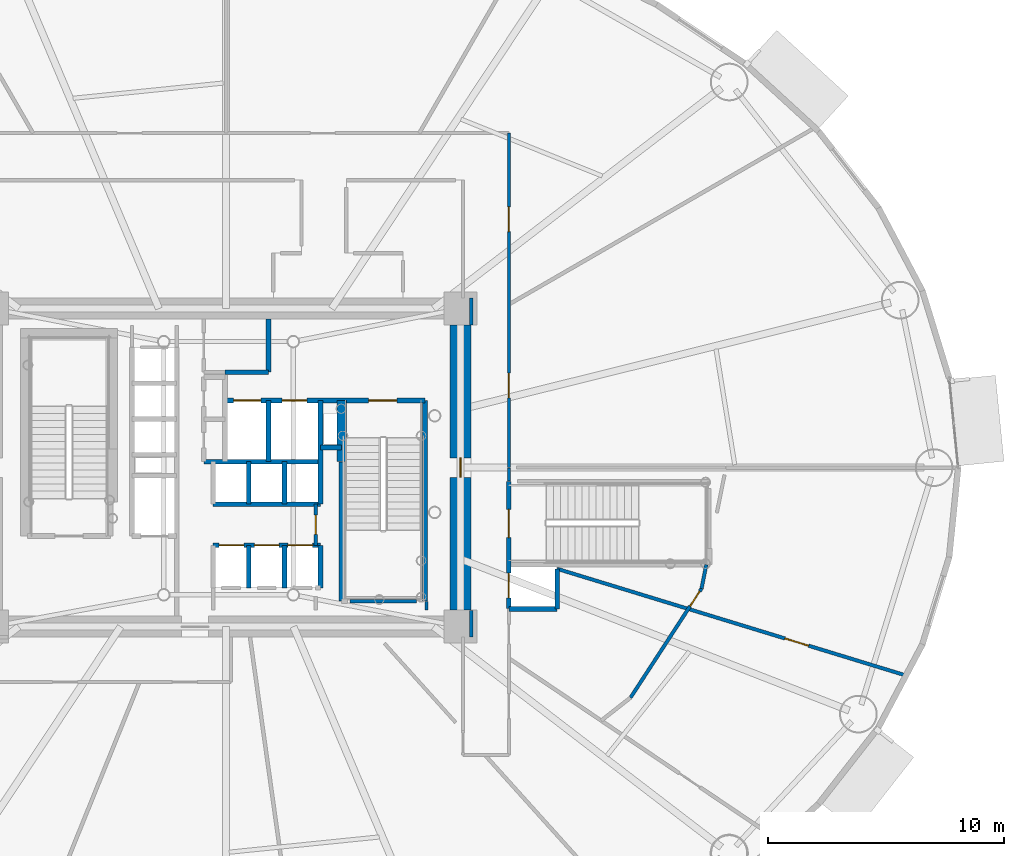
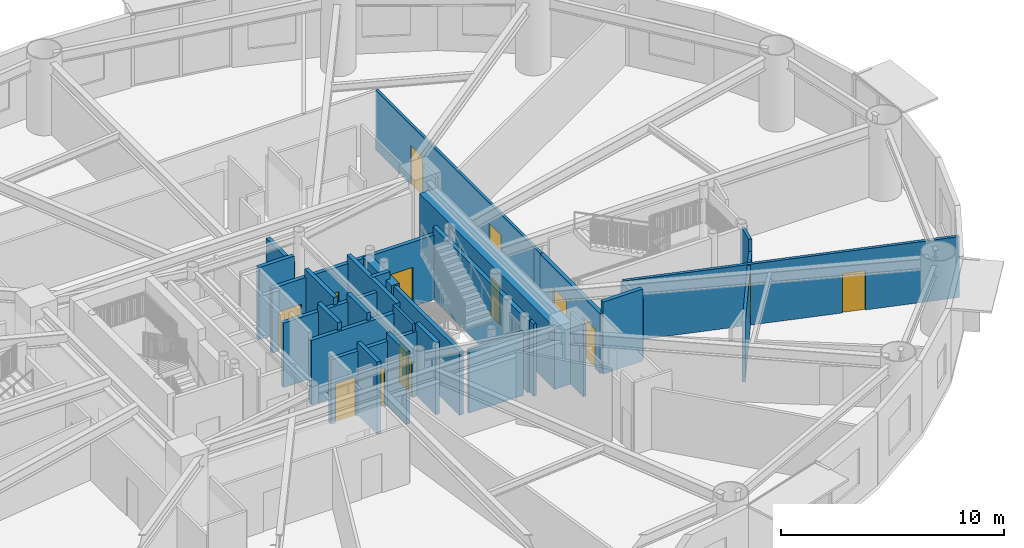
# One storey, part 18 of 32: 31 walls, 14 doors, 14 openings.
"""IFC4 building model written with IfcOpenShell, lengths in metres."""

from ifc_helpers import new_model, si_unit, direction, frame, frame_2d, origin, origin_2d, place, context, subcontext, project, spatial, rectangle, extrude, source, transform, mapped, material, layer, layer_set, type_object, element, fill, save


model = new_model("IFC4")

# Units and contexts
model_context = context("Model", 3, precision=1e-05, world=origin(), true_north=direction((0.0, 1.0)))
body_context = subcontext(model_context, "Body", "Model", "MODEL_VIEW")
ifc_project = project(units=[si_unit("LENGTHUNIT", "METRE"), si_unit("AREAUNIT", "SQUARE_METRE"), si_unit("VOLUMEUNIT", "CUBIC_METRE"), si_unit("PLANEANGLEUNIT", "RADIAN"), si_unit("MASSUNIT", "GRAM", prefix="KILO")], contexts=[model_context])

# Site, building, storey
site_placement = place(None, origin())
site = spatial("IfcSite", under=ifc_project, at=site_placement, CompositionType="ELEMENT")
building_placement = place(site_placement, origin())
building = spatial("IfcBuilding", under=site, at=building_placement, Name="Linh Dai School and Residence Tower", CompositionType="ELEMENT")
storey_placement = place(building_placement, frame((0.0, 0.0, 40.800048828125)))
storey = spatial("IfcBuildingStorey", under=building, at=storey_placement, Name="L09", CompositionType="ELEMENT", Elevation=40.800048828125)

# Wall, opening, door
ifc_material_1 = material(Name="Autoclaved Aerated Concrete Blockwork", Category="masonry")
ifc_layer_1 = layer(ifc_material_1, 0.135009765625)
ifc_layer_set_1 = layer_set([ifc_layer_1], Name="Autoclaved Aerated Concrete Blockwork")
wall_type_1 = type_object("IfcWallType", Name="IW-CORR-135-EI90", PredefinedType="PARTITIONING", material=ifc_layer_set_1)
wall_1_placement = place(storey_placement, frame((39.800048828125, 23.699951171875, 0.0), z_axis=(0.0, 0.0, 1.0), x_axis=(0.0, 1.0, 0.0)))
wall_1 = element("IfcWall", 1, at=wall_1_placement, inside=storey, type_object=wall_type_1, Name="L09 Interior Partition Wall 050", PredefinedType="PARTITIONING", context=body_context, shape_type="SweptSolid", body=[
    extrude(rectangle(XDim=1.75, YDim=0.135009765625, at=frame_2d((0.875, 0.0))), origin(), (0.0, 0.0, 1.0), 3.949951171875),
])
opening_1_placement = place(wall_1_placement, frame((0.465087890625, 0.0, 0.0)))
opening_1 = element("IfcOpeningElement", 2, at=opening_1_placement, cuts=wall_1, Name="Opening D06", PredefinedType="OPENING", context=body_context, shape_type="SweptSolid", body=[
    extrude(rectangle(XDim=0.820068359375, YDim=2.10009765625, at=origin_2d()), frame((0.41015625, 0.07763671875, 1.050048828125), z_axis=(0.0, -1.0, 0.0), x_axis=(1.0, 0.0, 0.0)), (0.0, 0.0, 1.0), 0.155029296875),
])
ifc_material_2 = material(Name="Moisture-Resistant Timber Bathroom Door", Category="wood")
door_type_1 = type_object("IfcDoorType", Name="DR-WET-820x2100", OperationType="NOTDEFINED", PredefinedType="DOOR", material=ifc_material_2)
shared_shape_1 = source(origin(), body_context, "Body", "SweptSolid", [
    extrude(rectangle(XDim=0.820068359375, YDim=2.10009765625, at=origin_2d()), frame((0.41015625, 0.02490234375, 1.050048828125), z_axis=(0.0, -1.0, 0.0), x_axis=(1.0, 0.0, 0.0)), (0.0, 0.0, 1.0), 0.050048828125),
])
door_1_placement = place(opening_1_placement, origin())
door_1 = element("IfcDoor", 3, at=door_1_placement, inside=storey, type_object=door_type_1, Name="L09 East Linen Store Door", OperationType="SINGLE_SWING_RIGHT", OverallHeight=2.10009765625, OverallWidth=0.820068359375, PredefinedType="DOOR", context=body_context, shape_type="MappedRepresentation", body=[
    mapped(shared_shape_1, transform((0.0, 0.0, 0.0), x_axis=(1.0, 0.0, 0.0), y_axis=(0.0, 1.0, 0.0), z_axis=(0.0, 0.0, 1.0), scale=1.0)),
])
fill(opening_1, door_1)

# Wall, openings, doors
wall_2_placement = place(storey_placement, frame((48.0, 27.0, 0.0), z_axis=(0.0, 0.0, 1.0), x_axis=(0.0, 1.0, 0.0)))
wall_2 = element("IfcWall", 4, at=wall_2_placement, inside=storey, type_object=wall_type_1, Name="L09 Interior Partition Wall 066", PredefinedType="PARTITIONING", context=body_context, shape_type="SweptSolid", body=[
    extrude(rectangle(XDim=14.199951171875, YDim=0.135009765625, at=frame_2d((7.10009765625, 0.0))), origin(), (0.0, 0.0, 1.0), 3.284912109375),
])
opening_2_placement = place(wall_2_placement, frame((2.958984375, 0.0, 0.0)))
opening_2 = element("IfcOpeningElement", 5, at=opening_2_placement, cuts=wall_2, Name="Opening D04", PredefinedType="OPENING", context=body_context, shape_type="SweptSolid", body=[
    extrude(rectangle(XDim=1.050048828125, YDim=2.14990234375, at=origin_2d()), frame((0.52490234375, 0.07763671875, 1.074951171875), z_axis=(0.0, -1.0, 0.0), x_axis=(1.0, 0.0, 0.0)), (0.0, 0.0, 1.0), 0.155029296875),
])
opening_3_placement = place(wall_2_placement, frame((10.01904296875, 0.0, 0.0)))
opening_3 = element("IfcOpeningElement", 6, at=opening_3_placement, cuts=wall_2, Name="Opening D04", PredefinedType="OPENING", context=body_context, shape_type="SweptSolid", body=[
    extrude(rectangle(XDim=1.050048828125, YDim=2.14990234375, at=origin_2d()), frame((0.52490234375, 0.07763671875, 1.074951171875), z_axis=(0.0, -1.0, 0.0), x_axis=(1.0, 0.0, 0.0)), (0.0, 0.0, 1.0), 0.155029296875),
])
ifc_material_3 = material(Name="Acoustic Vision-Panel Timber Classroom Door", Category="wood")
door_type_2 = type_object("IfcDoorType", Name="DR-SCH-1050x2150-FD60S", OperationType="NOTDEFINED", PredefinedType="DOOR", material=ifc_material_3)
shared_shape_2 = source(origin(), body_context, "Body", "SweptSolid", [
    extrude(rectangle(XDim=1.050048828125, YDim=2.14990234375, at=origin_2d()), frame((0.52490234375, 0.02490234375, 1.074951171875), z_axis=(0.0, -1.0, 0.0), x_axis=(1.0, 0.0, 0.0)), (0.0, 0.0, 1.0), 0.050048828125),
])
door_2_placement = place(opening_2_placement, origin())
door_2 = element("IfcDoor", 7, at=door_2_placement, inside=storey, type_object=door_type_2, Name="L09 Secondary Classroom 1 Door", OperationType="SINGLE_SWING_LEFT", OverallHeight=2.14990234375, OverallWidth=1.050048828125, PredefinedType="DOOR", context=body_context, shape_type="MappedRepresentation", body=[
    mapped(shared_shape_2, transform((0.0, 0.0, 0.0), x_axis=(1.0, 0.0, 0.0), y_axis=(0.0, 1.0, 0.0), z_axis=(0.0, 0.0, 1.0), scale=1.0)),
])
fill(opening_2, door_2)
door_3_placement = place(opening_3_placement, origin())
door_3 = element("IfcDoor", 8, at=door_3_placement, inside=storey, type_object=door_type_2, Name="L09 Secondary Classroom 2 Door", OperationType="SINGLE_SWING_RIGHT", OverallHeight=2.14990234375, OverallWidth=1.050048828125, PredefinedType="DOOR", context=body_context, shape_type="MappedRepresentation", body=[
    mapped(shared_shape_2, transform((0.0, 0.0, 0.0), x_axis=(1.0, 0.0, 0.0), y_axis=(0.0, 1.0, 0.0), z_axis=(0.0, 0.0, 1.0), scale=1.0)),
])
fill(opening_3, door_3)

# Walls
wall_3_placement = place(storey_placement, frame((44.080078125, 21.330078125, 0.0), z_axis=(0.0, 0.0, 1.0), x_axis=(-1.0, 0.0, 0.0)))
element("IfcWall", 9, at=wall_3_placement, inside=storey, type_object=wall_type_1, Name="L09 Interior Partition Wall 075", PredefinedType="PARTITIONING", context=body_context, shape_type="SweptSolid", body=[
    extrude(rectangle(XDim=2.820068359375, YDim=0.135009765625, at=frame_2d((1.41015625, 0.0))), origin(), (0.0, 0.0, 1.0), 3.48486328125),
])
wall_4_placement = place(storey_placement, frame((44.5, 20.9599609375, 0.0), z_axis=(0.0, 0.0, 1.0), x_axis=(0.0, 1.0, 0.0)))
element("IfcWall", 10, at=wall_4_placement, inside=storey, type_object=wall_type_1, Name="L09 Interior Partition Wall 082", PredefinedType="PARTITIONING", context=body_context, shape_type="SweptSolid", body=[
    extrude(rectangle(XDim=0.360107421875, YDim=0.135009765625, at=frame_2d((0.18017578125, 0.0))), origin(), (0.0, 0.0, 1.0), 3.949951171875),
])
wall_5_placement = place(storey_placement, frame((48.0, 26.989990234375, 0.0), z_axis=(0.0, 0.0, 1.0), x_axis=(0.0, -1.0, 0.0)))
element("IfcWall", 11, at=wall_5_placement, inside=storey, type_object=wall_type_1, Name="L09 Interior Partition Wall 087", PredefinedType="PARTITIONING", context=body_context, shape_type="SweptSolid", body=[
    extrude(rectangle(XDim=0.56005859375, YDim=0.135009765625, at=frame_2d((0.280029296875, 0.0))), origin(), (0.0, 0.0, 1.0), 3.284912109375),
])
for number, where, z_axis, x_axis, name in (
    (12, (46.39990234375, 19.800048828125, 0.0), (0.0, 0.0, 1.0), (0.0, 1.0, 0.0), "L09 Interior Partition Wall 089"),
    (13, (46.39990234375, 33.06005859375, 0.0), (0.0, 0.0, 1.0), (0.0, 1.0, 0.0), "L09 Interior Partition Wall 090"),
):
    element("IfcWall", number, at=place(storey_placement, frame(where, z_axis=z_axis, x_axis=x_axis)), inside=storey, type_object=wall_type_1, Name=name, PredefinedType="PARTITIONING", context=body_context, shape_type="SweptSolid", body=[
        extrude(rectangle(XDim=1.139892578125, YDim=0.135009765625, at=frame_2d((0.56982421875, 0.0))), origin(), (0.0, 0.0, 1.0), 3.949951171875),
    ])

# Wall, opening, door
ifc_layer_2 = layer(ifc_material_1, 0.14990234375)
ifc_layer_set_2 = layer_set([ifc_layer_2], Name="Autoclaved Aerated Concrete Blockwork")
wall_type_2 = type_object("IfcWallType", Name="IW-SCH-150-EI60", PredefinedType="PARTITIONING", material=ifc_layer_set_2)
wall_6_placement = place(storey_placement, frame((50.050048828125, 22.70458984375, 0.0), z_axis=(0.0, 0.0, 1.0), x_axis=(0.9563012706, -0.292383104588, 0.0)))
wall_6 = element("IfcWall", 14, at=wall_6_placement, inside=storey, type_object=wall_type_2, Name="L09 Interior Partition Wall 069", PredefinedType="PARTITIONING", context=body_context, shape_type="SweptSolid", body=[
    extrude(rectangle(XDim=15.490234375, YDim=0.14990234375, at=frame_2d((7.7451171875, 0.0))), origin(), (0.0, 0.0, 1.0), 3.3349609375),
])
opening_4_placement = place(wall_6_placement, frame((10.110107421875, 0.0, 0.0)))
opening_4 = element("IfcOpeningElement", 15, at=opening_4_placement, cuts=wall_6, Name="Opening D04", PredefinedType="OPENING", context=body_context, shape_type="SweptSolid", body=[
    extrude(rectangle(XDim=1.050048828125, YDim=2.14990234375, at=origin_2d()), frame((0.52490234375, 0.0849609375, 1.074951171875), z_axis=(0.0, -1.0, 0.0), x_axis=(1.0, 0.0, 0.0)), (0.0, 0.0, 1.0), 0.169921875),
])
door_4_placement = place(opening_4_placement, origin())
door_4 = element("IfcDoor", 16, at=door_4_placement, inside=storey, type_object=door_type_2, Name="L09 Resource Study Room GWC Door", OperationType="SINGLE_SWING_RIGHT", OverallHeight=2.14990234375, OverallWidth=1.050048828125, PredefinedType="DOOR", context=body_context, shape_type="MappedRepresentation", body=[
    mapped(shared_shape_2, transform((0.0, 0.0, 0.0), x_axis=(1.0, 0.0, 0.0), y_axis=(0.0, 1.0, 0.0), z_axis=(0.0, 0.0, 1.0), scale=1.0)),
])
fill(opening_4, door_4)

wall_7_placement = place(storey_placement, frame((53.1640625, 17.235595703125, 0.0), z_axis=(0.0, 0.0, 1.0), x_axis=(0.545448002944, 0.838144662981, 0.0)))
wall_7 = element("IfcWall", 17, at=wall_7_placement, inside=storey, type_object=wall_type_2, Name="L09 Interior Partition Wall 071", PredefinedType="PARTITIONING", context=body_context, shape_type="SweptSolid", body=[
    extrude(rectangle(XDim=5.525146484375, YDim=0.14990234375, at=frame_2d((2.7626953125, 0.0))), origin(), (0.0, 0.0, 1.0), 3.284912109375),
])
opening_5_placement = place(wall_7_placement, frame((4.631103515625, 0.0, 0.0)))
opening_5 = element("IfcOpeningElement", 18, at=opening_5_placement, cuts=wall_7, Name="Opening D08", PredefinedType="OPENING", context=body_context, shape_type="SweptSolid", body=[
    extrude(rectangle(XDim=0.760009765625, YDim=2.10009765625, at=origin_2d()), frame((0.3798828125, 0.0849609375, 1.050048828125), z_axis=(0.0, -1.0, 0.0), x_axis=(1.0, 0.0, 0.0)), (0.0, 0.0, 1.0), 0.169921875),
])
ifc_material_4 = material(Name="Engineered Timber Closet and Study Door", Category="wood")
door_type_3 = type_object("IfcDoorType", Name="DR-CMP-760x2100", OperationType="NOTDEFINED", PredefinedType="DOOR", material=ifc_material_4)
shared_shape_3 = source(origin(), body_context, "Body", "SweptSolid", [
    extrude(rectangle(XDim=0.760009765625, YDim=2.10009765625, at=origin_2d()), frame((0.3798828125, 0.02490234375, 1.050048828125), z_axis=(0.0, -1.0, 0.0), x_axis=(1.0, 0.0, 0.0)), (0.0, 0.0, 1.0), 0.050048828125),
])
door_5_placement = place(opening_5_placement, origin())
door_5 = element("IfcDoor", 19, at=door_5_placement, inside=storey, type_object=door_type_3, Name="L09 Floor Girls WC Door", OperationType="SINGLE_SWING_LEFT", OverallHeight=2.10009765625, OverallWidth=0.760009765625, PredefinedType="DOOR", context=body_context, shape_type="MappedRepresentation", body=[
    mapped(shared_shape_3, transform((0.0, 0.0, 0.0), x_axis=(1.0, 0.0, 0.0), y_axis=(0.0, 1.0, 0.0), z_axis=(0.0, 0.0, 1.0), scale=1.0)),
])
fill(opening_5, door_5)

# Walls
wall_8_placement = place(storey_placement, frame((56.177734375, 21.866455078125, 0.0), z_axis=(0.0, 0.0, 1.0), x_axis=(0.198113758035, 0.980179034094, 0.0)))
element("IfcWall", 20, at=wall_8_placement, inside=storey, type_object=wall_type_2, Name="L09 Interior Partition Wall 072", PredefinedType="PARTITIONING", context=body_context, shape_type="SweptSolid", body=[
    extrude(rectangle(XDim=1.033935546875, YDim=0.14990234375, at=frame_2d((0.51708984375, 0.0))), origin(), (0.0, 0.0, 1.0), 3.949951171875),
])
ifc_material_5 = material(Name="Concrete B45 (C35/45)", Category="concrete")
ifc_layer_3 = layer(ifc_material_5, 0.199951171875)
ifc_layer_set_3 = layer_set([ifc_layer_3], Name="Concrete B45 (C35/45)")
wall_type_3 = type_object("IfcWallType", Name="IW-SHAFT-200-EI120", PredefinedType="PARTITIONING", material=ifc_layer_set_3)
wall_9_placement = place(storey_placement, frame((35.050048828125, 27.25, 0.0), z_axis=(0.0, 0.0, 1.0), x_axis=(1.0, 0.0, 0.0)))
element("IfcWall", 21, at=wall_9_placement, inside=storey, type_object=wall_type_3, Name="L09 Interior Partition Wall 028", PredefinedType="PARTITIONING", context=body_context, shape_type="SweptSolid", body=[
    extrude(rectangle(XDim=4.949951171875, YDim=0.199951171875, at=frame_2d((2.47509765625, 0.0))), origin(), (0.0, 0.0, 1.0), 3.534912109375),
])

# Wall, openings, doors
wall_10_placement = place(storey_placement, frame((35.449951171875, 23.699951171875, 0.0), z_axis=(0.0, 0.0, 1.0), x_axis=(1.0, 0.0, 0.0)))
wall_10 = element("IfcWall", 22, at=wall_10_placement, inside=storey, type_object=wall_type_3, Name="L09 Interior Partition Wall 034", PredefinedType="PARTITIONING", context=body_context, shape_type="SweptSolid", body=[
    extrude(rectangle(XDim=4.550048828125, YDim=0.199951171875, at=frame_2d((2.27490234375, 0.0))), origin(), (0.0, 0.0, 1.0), 3.534912109375),
])
opening_6_placement = place(wall_10_placement, frame((0.25, 0.0, 0.0)))
opening_6 = element("IfcOpeningElement", 23, at=opening_6_placement, cuts=wall_10, Name="Opening LD-PL1", PredefinedType="OPENING", context=body_context, shape_type="SweptSolid", body=[
    extrude(rectangle(XDim=1.050048828125, YDim=2.14990234375, at=origin_2d()), frame((0.52490234375, 0.10986328125, 1.074951171875), z_axis=(0.0, -1.0, 0.0), x_axis=(1.0, 0.0, 0.0)), (0.0, 0.0, 1.0), 0.219970703125),
])
opening_7_placement = place(wall_10_placement, frame((1.7451171875, 0.0, 0.0)))
opening_7 = element("IfcOpeningElement", 24, at=opening_7_placement, cuts=wall_10, Name="Opening LD-PL2", PredefinedType="OPENING", context=body_context, shape_type="SweptSolid", body=[
    extrude(rectangle(XDim=1.050048828125, YDim=2.14990234375, at=origin_2d()), frame((0.52490234375, 0.10986328125, 1.074951171875), z_axis=(0.0, -1.0, 0.0), x_axis=(1.0, 0.0, 0.0)), (0.0, 0.0, 1.0), 0.219970703125),
])
opening_8_placement = place(wall_10_placement, frame((3.1650390625, 0.0, 0.0)))
opening_8 = element("IfcOpeningElement", 25, at=opening_8_placement, cuts=wall_10, Name="Opening LD-PL3", PredefinedType="OPENING", context=body_context, shape_type="SweptSolid", body=[
    extrude(rectangle(XDim=1.050048828125, YDim=2.14990234375, at=origin_2d()), frame((0.52490234375, 0.10986328125, 1.074951171875), z_axis=(0.0, -1.0, 0.0), x_axis=(1.0, 0.0, 0.0)), (0.0, 0.0, 1.0), 0.219970703125),
])
ifc_material_6 = material(Name="Brushed Stainless Steel Lift Landing Door", Category="steel")
door_type_4 = type_object("IfcDoorType", Name="DR-LD-PASS-1050x2150", OperationType="DOUBLE_DOOR_SLIDING", PredefinedType="USERDEFINED", material=ifc_material_6)
shared_shape_4 = source(origin(), body_context, "Body", "SweptSolid", [
    extrude(rectangle(XDim=1.050048828125, YDim=2.14990234375, at=origin_2d()), frame((0.52490234375, 0.02490234375, 1.074951171875), z_axis=(0.0, -1.0, 0.0), x_axis=(1.0, 0.0, 0.0)), (0.0, 0.0, 1.0), 0.050048828125),
])
door_6_placement = place(opening_6_placement, origin())
door_6 = element("IfcDoor", 26, at=door_6_placement, inside=storey, type_object=door_type_4, Name="L09 Lift PL1 Sliding Landing Door", ObjectType="LANDING DOOR", OperationType="DOUBLE_DOOR_SLIDING", OverallHeight=2.14990234375, OverallWidth=1.050048828125, PredefinedType="USERDEFINED", context=body_context, shape_type="MappedRepresentation", body=[
    mapped(shared_shape_4, transform((0.0, 0.0, 0.0), x_axis=(1.0, 0.0, 0.0), y_axis=(0.0, 1.0, 0.0), z_axis=(0.0, 0.0, 1.0), scale=1.0)),
])
fill(opening_6, door_6)
door_7_placement = place(opening_7_placement, origin())
door_7 = element("IfcDoor", 27, at=door_7_placement, inside=storey, type_object=door_type_4, Name="L09 Lift PL2 Sliding Landing Door", ObjectType="LANDING DOOR", OperationType="DOUBLE_DOOR_SLIDING", OverallHeight=2.14990234375, OverallWidth=1.050048828125, PredefinedType="USERDEFINED", context=body_context, shape_type="MappedRepresentation", body=[
    mapped(shared_shape_4, transform((0.0, 0.0, 0.0), x_axis=(1.0, 0.0, 0.0), y_axis=(0.0, 1.0, 0.0), z_axis=(0.0, 0.0, 1.0), scale=1.0)),
])
fill(opening_7, door_7)
door_8_placement = place(opening_8_placement, origin())
door_8 = element("IfcDoor", 28, at=door_8_placement, inside=storey, type_object=door_type_4, Name="L09 Lift PL3 Sliding Landing Door", ObjectType="LANDING DOOR", OperationType="DOUBLE_DOOR_SLIDING", OverallHeight=2.14990234375, OverallWidth=1.050048828125, PredefinedType="USERDEFINED", context=body_context, shape_type="MappedRepresentation", body=[
    mapped(shared_shape_4, transform((0.0, 0.0, 0.0), x_axis=(1.0, 0.0, 0.0), y_axis=(0.0, 1.0, 0.0), z_axis=(0.0, 0.0, 1.0), scale=1.0)),
])
fill(opening_8, door_8)

# Wall
wall_11_placement = place(storey_placement, frame((35.449951171875, 25.449951171875, 0.0), z_axis=(0.0, 0.0, 1.0), x_axis=(1.0, 0.0, 0.0)))
element("IfcWall", 29, at=wall_11_placement, inside=storey, type_object=wall_type_3, Name="L09 Interior Partition Wall 036", PredefinedType="PARTITIONING", context=body_context, shape_type="SweptSolid", body=[
    extrude(rectangle(XDim=4.550048828125, YDim=0.199951171875, at=frame_2d((2.27490234375, 0.0))), origin(), (0.0, 0.0, 1.0), 3.534912109375),
])

# Wall, openings, doors
wall_12_placement = place(storey_placement, frame((35.949951171875, 29.85009765625, 0.0), z_axis=(0.0, 0.0, 1.0), x_axis=(1.0, 0.0, 0.0)))
wall_12 = element("IfcWall", 30, at=wall_12_placement, inside=storey, type_object=wall_type_3, Name="L09 Interior Partition Wall 038", PredefinedType="PARTITIONING", context=body_context, shape_type="SweptSolid", body=[
    extrude(rectangle(XDim=8.489990234375, YDim=0.199951171875, at=frame_2d((4.2451171875, 0.0))), origin(), (0.0, 0.0, 1.0), 3.534912109375),
])
opening_9_placement = place(wall_12_placement, frame((6.10009765625, 0.0, 0.0)))
opening_9 = element("IfcOpeningElement", 31, at=opening_9_placement, cuts=wall_12, Name="Opening D01", PredefinedType="OPENING", context=body_context, shape_type="SweptSolid", body=[
    extrude(rectangle(XDim=1.199951171875, YDim=2.14990234375, at=origin_2d()), frame((0.60009765625, 0.10986328125, 1.074951171875), z_axis=(0.0, -1.0, 0.0), x_axis=(1.0, 0.0, 0.0)), (0.0, 0.0, 1.0), 0.219970703125),
])
opening_10_placement = place(wall_12_placement, frame((0.3701171875, 0.0, 0.0)))
opening_10 = element("IfcOpeningElement", 32, at=opening_10_placement, cuts=wall_12, Name="Opening LD-FF1", PredefinedType="OPENING", context=body_context, shape_type="SweptSolid", body=[
    extrude(rectangle(XDim=1.14990234375, YDim=2.14990234375, at=origin_2d()), frame((0.574951171875, 0.10986328125, 1.074951171875), z_axis=(0.0, -1.0, 0.0), x_axis=(1.0, 0.0, 0.0)), (0.0, 0.0, 1.0), 0.219970703125),
])
opening_11_placement = place(wall_12_placement, frame((2.425048828125, 0.0, 0.0)))
opening_11 = element("IfcOpeningElement", 33, at=opening_11_placement, cuts=wall_12, Name="Opening LD-SV1", PredefinedType="OPENING", context=body_context, shape_type="SweptSolid", body=[
    extrude(rectangle(XDim=1.050048828125, YDim=2.14990234375, at=origin_2d()), frame((0.52490234375, 0.10986328125, 1.074951171875), z_axis=(0.0, -1.0, 0.0), x_axis=(1.0, 0.0, 0.0)), (0.0, 0.0, 1.0), 0.219970703125),
])
ifc_material_7 = material(Name="Fire-Rated Steel Door Leaf", Category="steel")
door_type_5 = type_object("IfcDoorType", Name="DR-STAIR-1200x2150-FD90S", OperationType="NOTDEFINED", PredefinedType="DOOR", material=ifc_material_7)
shared_shape_5 = source(origin(), body_context, "Body", "SweptSolid", [
    extrude(rectangle(XDim=1.199951171875, YDim=2.14990234375, at=origin_2d()), frame((0.60009765625, 0.02490234375, 1.074951171875), z_axis=(0.0, -1.0, 0.0), x_axis=(1.0, 0.0, 0.0)), (0.0, 0.0, 1.0), 0.050048828125),
])
door_9_placement = place(opening_9_placement, origin())
door_9 = element("IfcDoor", 34, at=door_9_placement, inside=storey, type_object=door_type_5, Name="L09 Core Smokeproof Exit Stair ST2 Door", OperationType="SINGLE_SWING_RIGHT", OverallHeight=2.14990234375, OverallWidth=1.199951171875, PredefinedType="DOOR", context=body_context, shape_type="MappedRepresentation", body=[
    mapped(shared_shape_5, transform((0.0, 0.0, 0.0), x_axis=(1.0, 0.0, 0.0), y_axis=(0.0, 1.0, 0.0), z_axis=(0.0, 0.0, 1.0), scale=1.0)),
])
fill(opening_9, door_9)
ifc_material_8 = material(Name="Fire-Rated Stainless Steel Firefighting Lift Door", Category="steel")
door_type_6 = type_object("IfcDoorType", Name="DR-LD-FF-1150x2150-FD120", OperationType="DOUBLE_DOOR_SLIDING", PredefinedType="USERDEFINED", material=ifc_material_8)
shared_shape_6 = source(origin(), body_context, "Body", "SweptSolid", [
    extrude(rectangle(XDim=1.14990234375, YDim=2.14990234375, at=origin_2d()), frame((0.574951171875, 0.02490234375, 1.074951171875), z_axis=(0.0, -1.0, 0.0), x_axis=(1.0, 0.0, 0.0)), (0.0, 0.0, 1.0), 0.050048828125),
])
door_10_placement = place(opening_10_placement, origin())
door_10 = element("IfcDoor", 35, at=door_10_placement, inside=storey, type_object=door_type_6, Name="L09 Lift FF1 Sliding Landing Door", ObjectType="LANDING DOOR", OperationType="DOUBLE_DOOR_SLIDING", OverallHeight=2.14990234375, OverallWidth=1.14990234375, PredefinedType="USERDEFINED", context=body_context, shape_type="MappedRepresentation", body=[
    mapped(shared_shape_6, transform((0.0, 0.0, 0.0), x_axis=(1.0, 0.0, 0.0), y_axis=(0.0, 1.0, 0.0), z_axis=(0.0, 0.0, 1.0), scale=1.0)),
])
fill(opening_10, door_10)
door_11_placement = place(opening_11_placement, origin())
door_11 = element("IfcDoor", 36, at=door_11_placement, inside=storey, type_object=door_type_4, Name="L09 Lift SV1 Sliding Landing Door", ObjectType="LANDING DOOR", OperationType="DOUBLE_DOOR_SLIDING", OverallHeight=2.14990234375, OverallWidth=1.050048828125, PredefinedType="USERDEFINED", context=body_context, shape_type="MappedRepresentation", body=[
    mapped(shared_shape_4, transform((0.0, 0.0, 0.0), x_axis=(1.0, 0.0, 0.0), y_axis=(0.0, 1.0, 0.0), z_axis=(0.0, 0.0, 1.0), scale=1.0)),
])
fill(opening_11, door_11)

# Walls
wall_13_placement = place(storey_placement, frame((35.9599609375, 31.050048828125, 0.0), z_axis=(0.0, 0.0, 1.0), x_axis=(1.0, 0.0, 0.0)))
element("IfcWall", 37, at=wall_13_placement, inside=storey, type_object=wall_type_3, Name="L09 Interior Partition Wall 039", PredefinedType="PARTITIONING", context=body_context, shape_type="SweptSolid", body=[
    extrude(rectangle(XDim=1.840087890625, YDim=0.199951171875, at=frame_2d((0.919921875, 0.0))), origin(), (0.0, 0.0, 1.0), 3.949951171875),
])
for number, where, z_axis, x_axis, name in (
    (38, (36.9599609375, 21.89990234375, 0.0), (0.0, 0.0, 1.0), (0.0, 1.0, 0.0), "L09 Interior Partition Wall 042"),
    (39, (36.9599609375, 25.449951171875, 0.0), (0.0, 0.0, 1.0), (0.0, 1.0, 0.0), "L09 Interior Partition Wall 043"),
):
    element("IfcWall", number, at=place(storey_placement, frame(where, z_axis=z_axis, x_axis=x_axis)), inside=storey, type_object=wall_type_3, Name=name, PredefinedType="PARTITIONING", context=body_context, shape_type="SweptSolid", body=[
        extrude(rectangle(XDim=1.800048828125, YDim=0.199951171875, at=frame_2d((0.89990234375, 0.0))), origin(), (0.0, 0.0, 1.0), 3.949951171875),
    ])
wall_14_placement = place(storey_placement, frame((37.800048828125, 27.25, 0.0), z_axis=(0.0, 0.0, 1.0), x_axis=(0.0, 1.0, 0.0)))
element("IfcWall", 40, at=wall_14_placement, inside=storey, type_object=wall_type_3, Name="L09 Interior Partition Wall 045", PredefinedType="PARTITIONING", context=body_context, shape_type="SweptSolid", body=[
    extrude(rectangle(XDim=2.60009765625, YDim=0.199951171875, at=frame_2d((1.300048828125, 0.0))), origin(), (0.0, 0.0, 1.0), 3.949951171875),
])
wall_15_placement = place(storey_placement, frame((37.800048828125, 31.050048828125, 0.0), z_axis=(0.0, 0.0, 1.0), x_axis=(0.0, 1.0, 0.0)))
element("IfcWall", 41, at=wall_15_placement, inside=storey, type_object=wall_type_3, Name="L09 Interior Partition Wall 046", PredefinedType="PARTITIONING", context=body_context, shape_type="SweptSolid", body=[
    extrude(rectangle(XDim=2.25, YDim=0.199951171875, at=frame_2d((1.125, 0.0))), origin(), (0.0, 0.0, 1.0), 3.534912109375),
])
for number, where, z_axis, x_axis, name in (
    (42, (38.47998046875, 21.89990234375, 0.0), (0.0, 0.0, 1.0), (0.0, 1.0, 0.0), "L09 Interior Partition Wall 047"),
    (43, (38.47998046875, 25.449951171875, 0.0), (0.0, 0.0, 1.0), (0.0, 1.0, 0.0), "L09 Interior Partition Wall 048"),
    (44, (40.0, 21.89990234375, 0.0), (0.0, 0.0, 1.0), (0.0, 1.0, 0.0), "L09 Interior Partition Wall 051"),
):
    element("IfcWall", number, at=place(storey_placement, frame(where, z_axis=z_axis, x_axis=x_axis)), inside=storey, type_object=wall_type_3, Name=name, PredefinedType="PARTITIONING", context=body_context, shape_type="SweptSolid", body=[
        extrude(rectangle(XDim=1.800048828125, YDim=0.199951171875, at=frame_2d((0.89990234375, 0.0))), origin(), (0.0, 0.0, 1.0), 3.949951171875),
    ])
wall_16_placement = place(storey_placement, frame((40.0, 25.449951171875, 0.0), z_axis=(0.0, 0.0, 1.0), x_axis=(0.0, 1.0, 0.0)))
element("IfcWall", 45, at=wall_16_placement, inside=storey, type_object=wall_type_3, Name="L09 Interior Partition Wall 052", PredefinedType="PARTITIONING", context=body_context, shape_type="SweptSolid", body=[
    extrude(rectangle(XDim=4.400146484375, YDim=0.199951171875, at=frame_2d((2.2001953125, 0.0))), origin(), (0.0, 0.0, 1.0), 3.949951171875),
])
wall_17_placement = place(storey_placement, frame((40.0, 27.85009765625, 0.0), z_axis=(0.0, 0.0, 1.0), x_axis=(1.0, 0.0, 0.0)))
element("IfcWall", 46, at=wall_17_placement, inside=storey, type_object=wall_type_3, Name="L09 Interior Partition Wall 053", PredefinedType="PARTITIONING", context=body_context, shape_type="SweptSolid", body=[
    extrude(rectangle(XDim=0.89990234375, YDim=0.199951171875, at=frame_2d((0.449951171875, 0.0))), origin(), (0.0, 0.0, 1.0), 3.949951171875),
])
wall_18_placement = place(storey_placement, frame((40.89990234375, 21.330078125, 0.0), z_axis=(0.0, 0.0, 1.0), x_axis=(0.0, 1.0, 0.0)))
element("IfcWall", 47, at=wall_18_placement, inside=storey, type_object=wall_type_3, Name="L09 Interior Partition Wall 054", PredefinedType="PARTITIONING", context=body_context, shape_type="SweptSolid", body=[
    extrude(rectangle(XDim=5.909912109375, YDim=0.199951171875, at=frame_2d((2.955078125, 0.0))), origin(), (0.0, 0.0, 1.0), 3.48486328125),
])
wall_19_placement = place(storey_placement, frame((44.43994140625, 21.330078125, 0.0), z_axis=(0.0, 0.0, 1.0), x_axis=(0.0, 1.0, 0.0)))
element("IfcWall", 48, at=wall_19_placement, inside=storey, type_object=wall_type_3, Name="L09 Interior Partition Wall 057", PredefinedType="PARTITIONING", context=body_context, shape_type="SweptSolid", body=[
    extrude(rectangle(XDim=8.52001953125, YDim=0.199951171875, at=frame_2d((4.260009765625, 0.0))), origin(), (0.0, 0.0, 1.0), 3.949951171875),
])

# Wall, openings, doors
wall_20_placement = place(storey_placement, frame((48.0, 21.010009765625, 0.0), z_axis=(0.0, 0.0, 1.0), x_axis=(0.0, 1.0, 0.0)))
wall_20 = element("IfcWall", 49, at=wall_20_placement, inside=storey, type_object=wall_type_3, Name="L09 Interior Partition Wall 063", PredefinedType="PARTITIONING", context=body_context, shape_type="SweptSolid", body=[
    extrude(rectangle(XDim=5.409912109375, YDim=0.199951171875, at=frame_2d((2.705078125, 0.0))), origin(), (0.0, 0.0, 1.0), 3.284912109375),
])
opening_12_placement = place(wall_20_placement, frame((3.02001953125, 0.0, 0.0)))
opening_12 = element("IfcOpeningElement", 50, at=opening_12_placement, cuts=wall_20, Name="Opening D01", PredefinedType="OPENING", context=body_context, shape_type="SweptSolid", body=[
    extrude(rectangle(XDim=1.199951171875, YDim=2.14990234375, at=origin_2d()), frame((0.60009765625, 0.10986328125, 1.074951171875), z_axis=(0.0, -1.0, 0.0), x_axis=(1.0, 0.0, 0.0)), (0.0, 0.0, 1.0), 0.219970703125),
])
opening_13_placement = place(wall_20_placement, frame((0.465087890625, 0.0, 0.0)))
opening_13 = element("IfcOpeningElement", 51, at=opening_13_placement, cuts=wall_20, Name="Opening LD-SL2", PredefinedType="OPENING", context=body_context, shape_type="SweptSolid", body=[
    extrude(rectangle(XDim=1.050048828125, YDim=2.14990234375, at=origin_2d()), frame((0.52490234375, 0.10986328125, 1.074951171875), z_axis=(0.0, -1.0, 0.0), x_axis=(1.0, 0.0, 0.0)), (0.0, 0.0, 1.0), 0.219970703125),
])
door_12_placement = place(opening_12_placement, origin())
door_12 = element("IfcDoor", 52, at=door_12_placement, inside=storey, type_object=door_type_5, Name="L09 Exit Stair STS2 Door", OperationType="SINGLE_SWING_RIGHT", OverallHeight=2.14990234375, OverallWidth=1.199951171875, PredefinedType="DOOR", context=body_context, shape_type="MappedRepresentation", body=[
    mapped(shared_shape_5, transform((0.0, 0.0, 0.0), x_axis=(1.0, 0.0, 0.0), y_axis=(0.0, 1.0, 0.0), z_axis=(0.0, 0.0, 1.0), scale=1.0)),
])
fill(opening_12, door_12)
door_13_placement = place(opening_13_placement, origin())
door_13 = element("IfcDoor", 53, at=door_13_placement, inside=storey, type_object=door_type_4, Name="L09 Lift SL2 Sliding Landing Door", ObjectType="LANDING DOOR", OperationType="DOUBLE_DOOR_SLIDING", OverallHeight=2.14990234375, OverallWidth=1.050048828125, PredefinedType="USERDEFINED", context=body_context, shape_type="MappedRepresentation", body=[
    mapped(shared_shape_4, transform((0.0, 0.0, 0.0), x_axis=(1.0, 0.0, 0.0), y_axis=(0.0, 1.0, 0.0), z_axis=(0.0, 0.0, 1.0), scale=1.0)),
])
fill(opening_13, door_13)

# Walls
wall_21_placement = place(storey_placement, frame((48.0, 21.0, 0.0), z_axis=(0.0, 0.0, 1.0), x_axis=(1.0, 0.0, 0.0)))
element("IfcWall", 54, at=wall_21_placement, inside=storey, type_object=wall_type_3, Name="L09 Interior Partition Wall 064", PredefinedType="PARTITIONING", context=body_context, shape_type="SweptSolid", body=[
    extrude(rectangle(XDim=2.050048828125, YDim=0.199951171875, at=frame_2d((1.02490234375, 0.0))), origin(), (0.0, 0.0, 1.0), 3.949951171875),
])
wall_22_placement = place(storey_placement, frame((50.050048828125, 21.0, 0.0), z_axis=(0.0, 0.0, 1.0), x_axis=(0.0, 1.0, 0.0)))
element("IfcWall", 55, at=wall_22_placement, inside=storey, type_object=wall_type_3, Name="L09 Interior Partition Wall 068", PredefinedType="PARTITIONING", context=body_context, shape_type="SweptSolid", body=[
    extrude(rectangle(XDim=1.70458984375, YDim=0.199951171875, at=frame_2d((0.852294921875, 0.0))), origin(), (0.0, 0.0, 1.0), 3.284912109375),
])
ifc_layer_4 = layer(ifc_material_5, 0.39990234375)
ifc_layer_set_4 = layer_set([ifc_layer_4], Name="Concrete B45 (C35/45)")
wall_type_4 = type_object("IfcWallType", Name="WL-CORE400", PredefinedType="SHEAR", material=ifc_layer_set_4)
wall_23_placement = place(storey_placement, frame((40.89990234375, 27.25, 0.0), z_axis=(0.0, 0.0, 1.0), x_axis=(0.0, 1.0, 0.0)))
element("IfcWall", 56, at=wall_23_placement, inside=storey, type_object=wall_type_4, Name="L09 Internal Core Shear Wall IE", PredefinedType="SHEAR", context=body_context, shape_type="SweptSolid", body=[
    extrude(rectangle(XDim=2.60009765625, YDim=0.39990234375, at=frame_2d((1.300048828125, 0.0))), origin(), (0.0, 0.0, 1.0), 3.550048828125),
])

# Wall, opening, door
ifc_material_9 = material(Name="Concrete B60 (C50/60)", Category="concrete")
ifc_layer_5 = layer(ifc_material_9, 0.89990234375)
ifc_layer_set_5 = layer_set([ifc_layer_5], Name="Concrete B60 (C50/60)")
wall_type_5 = type_object("IfcWallType", Name="WL-CORE900", PredefinedType="SHEAR", material=ifc_layer_set_5)
wall_24_placement = place(storey_placement, frame((45.949951171875, 33.050048828125, 0.0), z_axis=(0.0, 0.0, 1.0), x_axis=(0.0, -1.0, 0.0)))
wall_24 = element("IfcWall", 57, at=wall_24_placement, inside=storey, type_object=wall_type_5, Name="L09 Central Core Shear Wall E", PredefinedType="SHEAR", context=body_context, shape_type="SweptSolid", body=[
    extrude(rectangle(XDim=12.10009765625, YDim=0.89990234375, at=frame_2d((6.050048828125, 0.0))), origin(), (0.0, 0.0, 1.0), 3.39990234375),
])
opening_14_placement = place(wall_24_placement, frame((5.639892578125, 0.0, 0.0)))
opening_14 = element("IfcOpeningElement", 58, at=opening_14_placement, cuts=wall_24, Name="Opening D06", PredefinedType="OPENING", context=body_context, shape_type="SweptSolid", body=[
    extrude(rectangle(XDim=0.820068359375, YDim=2.10009765625, at=origin_2d()), frame((0.41015625, 0.4599609375, 1.050048828125), z_axis=(0.0, -1.0, 0.0), x_axis=(1.0, 0.0, 0.0)), (0.0, 0.0, 1.0), 0.919921875),
])
door_14_placement = place(opening_14_placement, origin())
door_14 = element("IfcDoor", 59, at=door_14_placement, inside=storey, type_object=door_type_1, Name="L09 Firefighting Lobby Door", OperationType="SINGLE_SWING_LEFT", OverallHeight=2.10009765625, OverallWidth=0.820068359375, PredefinedType="DOOR", context=body_context, shape_type="MappedRepresentation", body=[
    mapped(shared_shape_1, transform((0.0, 0.0, 0.0), x_axis=(1.0, 0.0, 0.0), y_axis=(0.0, 1.0, 0.0), z_axis=(0.0, 0.0, 1.0), scale=1.0)),
])
fill(opening_14, door_14)

save(model, "model.ifc")
